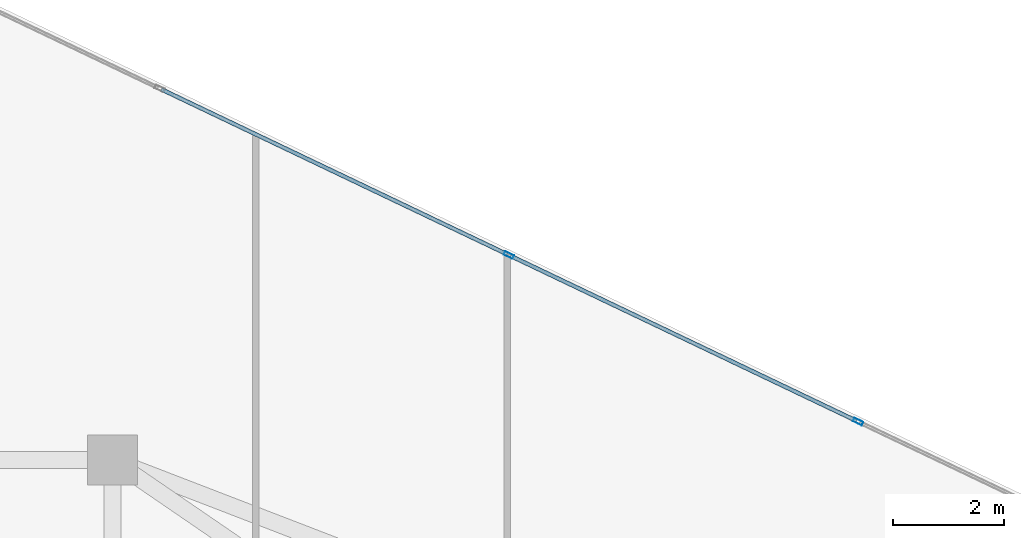
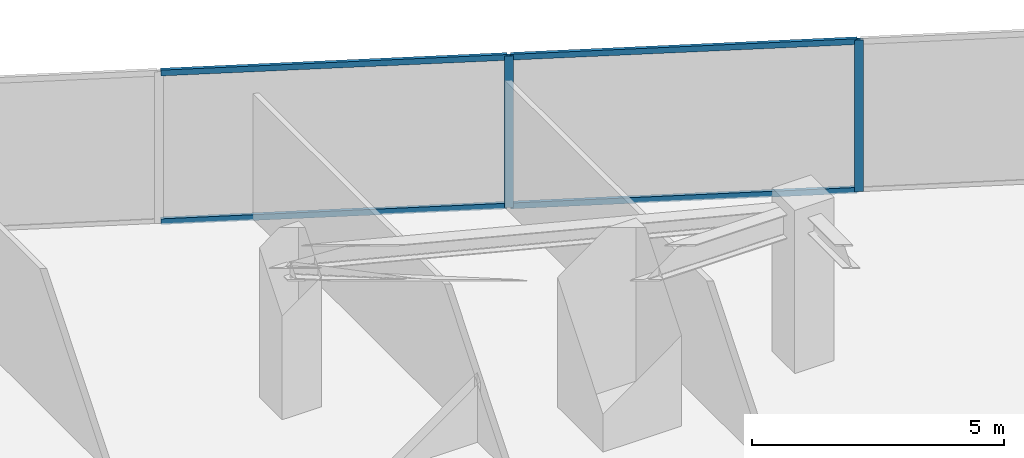
# One storey, part 18 of 25: 6 members, 1 element without a shape of its own.
"""IFC4 building model written with IfcOpenShell, lengths in metres."""

from ifc_helpers import new_model, si_unit, direction, frame, origin, origin_2d, place, context, subcontext, project, spatial, hollow_rectangle, extrude, source, transform, mapped, material, material_profile, profile_set, type_object, type_shapes, element, aggregate, save


model = new_model("IFC4")

# Units and contexts
model_context = context("Model", 3, precision=1e-05, world=origin(), true_north=direction((0.0, 1.0)))
body_context = subcontext(model_context, "Body", "Model", "MODEL_VIEW")
ifc_project = project(units=[si_unit("LENGTHUNIT", "METRE"), si_unit("AREAUNIT", "SQUARE_METRE"), si_unit("VOLUMEUNIT", "CUBIC_METRE"), si_unit("PLANEANGLEUNIT", "RADIAN"), si_unit("MASSUNIT", "GRAM", prefix="KILO")], contexts=[model_context])

# Site, building, storey
site_placement = place(None, origin())
site = spatial("IfcSite", under=ifc_project, at=site_placement, CompositionType="ELEMENT")
building_placement = place(site_placement, origin())
building = spatial("IfcBuilding", under=site, at=building_placement, Name="Krantzveldt Concourse Tower", CompositionType="ELEMENT")
storey_placement = place(building_placement, frame((0.0, 0.0, 146.199951171875)))
storey = spatial("IfcBuildingStorey", under=building, at=storey_placement, Name="L35", CompositionType="ELEMENT", Elevation=146.199951171875)

# Curtain wall, members
ifc_material = material(Name="Anodised aluminium 6063-T6", Category="aluminium")
curtain_wall_type = type_object("IfcCurtainWallType", Name="CW3", PredefinedType="USERDEFINED", material=ifc_material)
curtain_wall_placement = place(storey_placement, origin())
curtain_wall = element("IfcCurtainWall", 1, at=curtain_wall_placement, inside=storey, type_object=curtain_wall_type, Name="CW-L35-F10", ObjectType="UNITISED CURTAIN WALL", PredefinedType="USERDEFINED")
ifc_material_profile_1 = material_profile(ifc_material, hollow_rectangle(XDim=0.070068359375, YDim=0.179931640625, WallThickness=0.0048828125, at=origin_2d()), Name="Anodised aluminium 6063-T6", Category="aluminium")
ifc_profile_set_1 = profile_set([ifc_material_profile_1], Name="Anodised aluminium 6063-T6 - ALU-MULL 180x70x5")
member_type_1 = type_object("IfcMemberType", Name="CW-MUL-180", PredefinedType="MULLION", material=ifc_profile_set_1)
shared_shape_1 = source(origin(), body_context, "Body", "SweptSolid", [
    extrude(hollow_rectangle(XDim=0.070068359375, YDim=0.179931640625, WallThickness=0.0048828125, at=origin_2d()), origin(), (0.0, 0.0, 1.0), 3.670166015625),
])
type_shapes(member_type_1, [shared_shape_1])
member_1_placement = place(storey_placement, frame((54.8125, 41.890869140625, 0.0), z_axis=(0.0, 0.0, 1.0), x_axis=(-0.430511162987, -0.902585252784, 0.0)))
member_1 = element("IfcMember", 2, at=member_1_placement, type_object=member_type_1, Name="CW-Z34 mullion 2", PredefinedType="MULLION", context=body_context, shape_type="MappedRepresentation", body=[
    mapped(shared_shape_1, transform((0.0, 0.0, 0.0), x_axis=(1.0, 0.0, 0.0), y_axis=(0.0, 1.0, 0.0), z_axis=(0.0, 0.0, 1.0), scale=1.0)),
])
member_2_placement = place(storey_placement, frame((48.530517578125, 44.88720703125, 0.0), z_axis=(0.0, 0.0, 1.0), x_axis=(-0.430511162987, -0.902585252784, 0.0)))
member_2 = element("IfcMember", 3, at=member_2_placement, type_object=member_type_1, Name="CW-Z34 mullion 3", PredefinedType="MULLION", context=body_context, shape_type="MappedRepresentation", body=[
    mapped(shared_shape_1, transform((0.0, 0.0, 0.0), x_axis=(1.0, 0.0, 0.0), y_axis=(0.0, 1.0, 0.0), z_axis=(0.0, 0.0, 1.0), scale=1.0)),
])
ifc_material_profile_2 = material_profile(ifc_material, hollow_rectangle(XDim=0.070068359375, YDim=0.139892578125, WallThickness=0.0048828125, at=origin_2d()), Name="Anodised aluminium 6063-T6", Category="aluminium")
ifc_profile_set_2 = profile_set([ifc_material_profile_2], Name="Anodised aluminium 6063-T6 - ALU-TRAN 140x70x5")
member_type_2 = type_object("IfcMemberType", Name="CW-TRN-150", PredefinedType="USERDEFINED", material=ifc_profile_set_2)
shared_shape_2 = source(origin(), body_context, "Body", "SweptSolid", [
    extrude(hollow_rectangle(XDim=0.070068359375, YDim=0.139892578125, WallThickness=0.0048828125, at=origin_2d()), origin(), (0.0, 0.0, 1.0), 6.889892578125),
])
type_shapes(member_type_2, [shared_shape_2])
member_3_placement = place(storey_placement, frame((54.78076171875, 41.906005859375, 0.03515625), z_axis=(-0.902592454673, 0.430496063592, 0.0), x_axis=(-0.430496063592, -0.902592454673, 0.0)))
member_3 = element("IfcMember", 4, at=member_3_placement, type_object=member_type_2, Name="CW-Z34 transom 2.1", ObjectType="TRANSOM", PredefinedType="USERDEFINED", context=body_context, shape_type="MappedRepresentation", body=[
    mapped(shared_shape_2, transform((0.0, 0.0, 0.0), x_axis=(1.0, 0.0, 0.0), y_axis=(0.0, 1.0, 0.0), z_axis=(0.0, 0.0, 1.0), scale=1.0)),
])
member_4_placement = place(storey_placement, frame((54.78076171875, 41.906005859375, 3.635009765625), z_axis=(-0.902592454673, 0.430496063592, 0.0), x_axis=(-0.430496063592, -0.902592454673, 0.0)))
member_4 = element("IfcMember", 5, at=member_4_placement, type_object=member_type_2, Name="CW-Z34 transom 2.2", ObjectType="TRANSOM", PredefinedType="USERDEFINED", context=body_context, shape_type="MappedRepresentation", body=[
    mapped(shared_shape_2, transform((0.0, 0.0, 0.0), x_axis=(1.0, 0.0, 0.0), y_axis=(0.0, 1.0, 0.0), z_axis=(0.0, 0.0, 1.0), scale=1.0)),
])
member_5_placement = place(storey_placement, frame((48.498779296875, 44.90234375, 0.03515625), z_axis=(-0.902592454673, 0.430496063592, 0.0), x_axis=(-0.430496063592, -0.902592454673, 0.0)))
member_5 = element("IfcMember", 6, at=member_5_placement, type_object=member_type_2, Name="CW-Z34 transom 3.1", ObjectType="TRANSOM", PredefinedType="USERDEFINED", context=body_context, shape_type="MappedRepresentation", body=[
    mapped(shared_shape_2, transform((0.0, 0.0, 0.0), x_axis=(1.0, 0.0, 0.0), y_axis=(0.0, 1.0, 0.0), z_axis=(0.0, 0.0, 1.0), scale=1.0)),
])
member_6_placement = place(storey_placement, frame((48.498779296875, 44.90234375, 3.635009765625), z_axis=(-0.902592454673, 0.430496063592, 0.0), x_axis=(-0.430496063592, -0.902592454673, 0.0)))
member_6 = element("IfcMember", 7, at=member_6_placement, type_object=member_type_2, Name="CW-Z34 transom 3.2", ObjectType="TRANSOM", PredefinedType="USERDEFINED", context=body_context, shape_type="MappedRepresentation", body=[
    mapped(shared_shape_2, transform((0.0, 0.0, 0.0), x_axis=(1.0, 0.0, 0.0), y_axis=(0.0, 1.0, 0.0), z_axis=(0.0, 0.0, 1.0), scale=1.0)),
])
aggregate(curtain_wall, [member_1, member_2, member_3, member_4, member_5, member_6])

save(model, "model.ifc")
